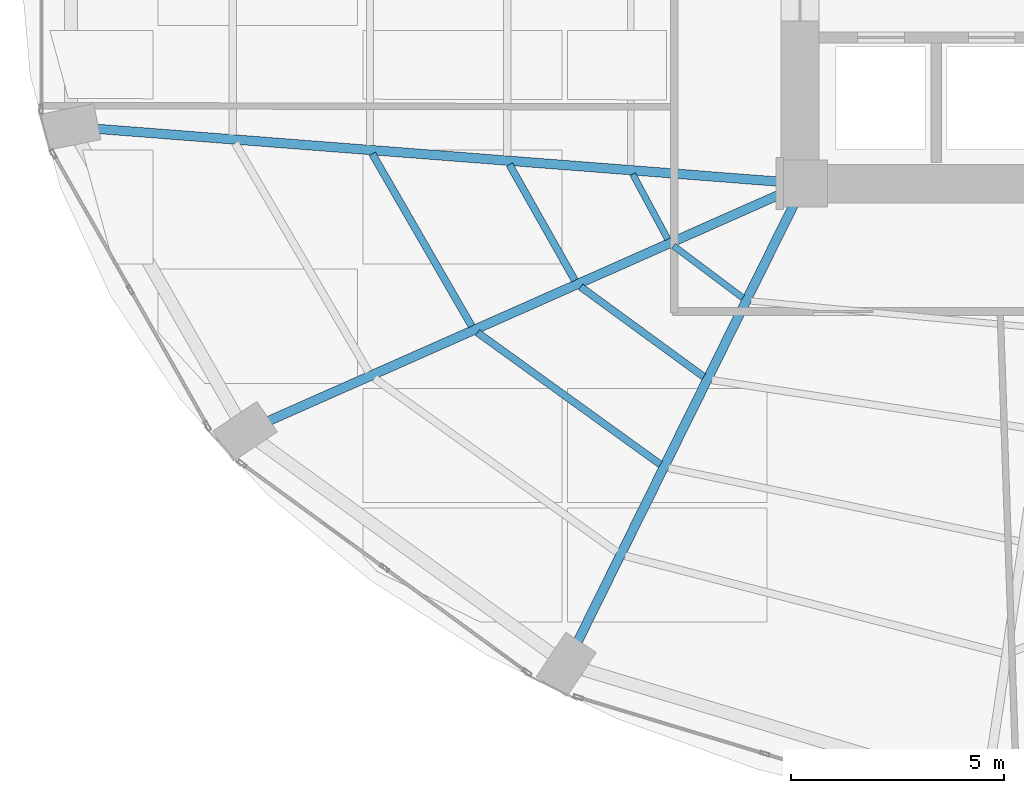
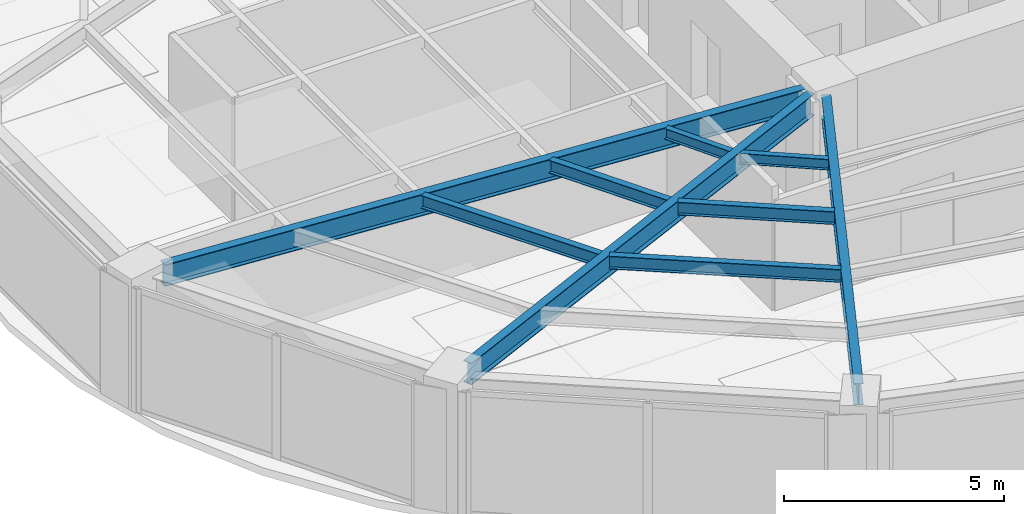
# One storey, part 4 of 24: 9 beams.
"""IFC4 building model written with IfcOpenShell, lengths in metres."""

from ifc_helpers import new_model, si_unit, direction, frame, origin, origin_2d, place, context, subcontext, project, spatial, i_section, extrude, material, material_profile, profile_set, type_object, element, save


model = new_model("IFC4")

# Units and contexts
model_context = context("Model", 3, precision=1e-05, world=origin(), true_north=direction((0.0, 1.0)))
body_context = subcontext(model_context, "Body", "Model", "MODEL_VIEW")
ifc_project = project(units=[si_unit("LENGTHUNIT", "METRE"), si_unit("AREAUNIT", "SQUARE_METRE"), si_unit("VOLUMEUNIT", "CUBIC_METRE"), si_unit("PLANEANGLEUNIT", "RADIAN"), si_unit("MASSUNIT", "GRAM", prefix="KILO")], contexts=[model_context])

# Site, building, storey
site_placement = place(None, origin())
site = spatial("IfcSite", under=ifc_project, at=site_placement, CompositionType="ELEMENT")
building_placement = place(site_placement, origin())
building = spatial("IfcBuilding", under=site, at=building_placement, Name="Lazwardi Medical Tower", CompositionType="ELEMENT")
storey_placement = place(building_placement, frame((0.0, 0.0, 68.97607421875)))
storey = spatial("IfcBuildingStorey", under=building, at=storey_placement, Name="L17", CompositionType="ELEMENT", Elevation=68.97607421875)

# Beams
ifc_material = material(Name="Steel S355", Category="steel")
ifc_material_profile_1 = material_profile(ifc_material, i_section(OverallWidth=0.219970703125, OverallDepth=0.60009765625, WebThickness=0.011962890625, FlangeThickness=0.01904296875, at=origin_2d()), Name="IPE 600")
ifc_profile_set_1 = profile_set([ifc_material_profile_1], Name="Steel S355")
beam_type_1 = type_object("IfcBeamType", Name="BM-RG-W1", PredefinedType="BEAM", material=ifc_profile_set_1)
beam_1_placement = place(storey_placement, frame((9.7783203125, 21.6875, 3.1279296875), z_axis=(0.997013942066, -0.077221754231, 0.0), x_axis=(0.077221754231, 0.997013942066, 0.0)))
element("IfcBeam", 1, at=beam_1_placement, inside=storey, type_object=beam_type_1, Name="Radial girder RG-02 R13 L17", PredefinedType="BEAM", context=body_context, shape_type="SweptSolid", body=[
    extrude(i_section(OverallWidth=0.219970703125, OverallDepth=0.60009765625, WebThickness=0.011962890625, FlangeThickness=0.01904296875, at=origin_2d()), origin(), (0.0, 0.0, 1.0), 16.136474609375),
])
beam_2_placement = place(storey_placement, frame((13.810302734375, 14.82080078125, 3.1279296875), z_axis=(0.914252189566, 0.405145571214, 0.0), x_axis=(-0.405145571214, 0.914252189566, 0.0)))
element("IfcBeam", 2, at=beam_2_placement, inside=storey, type_object=beam_type_1, Name="Radial girder RG-02 R14 L17", PredefinedType="BEAM", context=body_context, shape_type="SweptSolid", body=[
    extrude(i_section(OverallWidth=0.219970703125, OverallDepth=0.60009765625, WebThickness=0.011962890625, FlangeThickness=0.01904296875, at=origin_2d()), origin(), (0.0, 0.0, 1.0), 13.235595703125),
])
beam_3_placement = place(storey_placement, frame((21.076171875, 9.635986328125, 3.1279296875), z_axis=(0.443336723706, 0.896355146922, 0.0), x_axis=(-0.896355146922, 0.443336723706, 0.0)))
element("IfcBeam", 3, at=beam_3_placement, inside=storey, type_object=beam_type_1, Name="Radial girder RG-02 R15 L17", PredefinedType="BEAM", context=body_context, shape_type="SweptSolid", body=[
    extrude(i_section(OverallWidth=0.219970703125, OverallDepth=0.60009765625, WebThickness=0.011962890625, FlangeThickness=0.01904296875, at=origin_2d()), origin(), (0.0, 0.0, 1.0), 11.4736328125),
])
ifc_material_profile_2 = material_profile(ifc_material, i_section(OverallWidth=0.169921875, OverallDepth=0.360107421875, WebThickness=0.008056640625, FlangeThickness=0.0126953125, at=origin_2d()), Name="IPE 360")
ifc_profile_set_2 = profile_set([ifc_material_profile_2], Name="Steel S355")
beam_type_2 = type_object("IfcBeamType", Name="BM-SJ-02", PredefinedType="JOIST", material=ifc_profile_set_2)
beam_4_placement = place(storey_placement, frame((16.26611328125, 21.09814453125, 3.248046875), z_axis=(0.499785866494, -0.866148998529, 0.0), x_axis=(0.866148998529, 0.499785866494, 0.0)))
element("IfcBeam", 4, at=beam_4_placement, inside=storey, type_object=beam_type_2, Name="Secondary joist SJ-02 R2 B13 L17", PredefinedType="JOIST", context=body_context, shape_type="SweptSolid", body=[
    extrude(i_section(OverallWidth=0.169921875, OverallDepth=0.360107421875, WebThickness=0.008056640625, FlangeThickness=0.0126953125, at=origin_2d()), origin(), (0.0, 0.0, 1.0), 4.666015625),
])
beam_5_placement = place(storey_placement, frame((18.73583984375, 16.904296875, 3.248046875), z_axis=(0.811142764961, -0.584848198127, 0.0), x_axis=(0.584848198127, 0.811142764961, 0.0)))
element("IfcBeam", 5, at=beam_5_placement, inside=storey, type_object=beam_type_2, Name="Secondary joist SJ-02 R2 B14 L17", PredefinedType="JOIST", context=body_context, shape_type="SweptSolid", body=[
    extrude(i_section(OverallWidth=0.169921875, OverallDepth=0.360107421875, WebThickness=0.008056640625, FlangeThickness=0.0126953125, at=origin_2d()), origin(), (0.0, 0.0, 1.0), 5.28857421875),
])
beam_6_placement = place(storey_placement, frame((19.48291015625, 20.848388671875, 3.248046875), z_axis=(0.491923287977, -0.870638546554, 0.0), x_axis=(0.870638546554, 0.491923287977, 0.0)))
element("IfcBeam", 6, at=beam_6_placement, inside=storey, type_object=beam_type_2, Name="Secondary joist SJ-02 R3 B13 L17", PredefinedType="JOIST", context=body_context, shape_type="SweptSolid", body=[
    extrude(i_section(OverallWidth=0.169921875, OverallDepth=0.360107421875, WebThickness=0.008056640625, FlangeThickness=0.0126953125, at=origin_2d()), origin(), (0.0, 0.0, 1.0), 3.122802734375),
])
beam_7_placement = place(storey_placement, frame((21.155517578125, 17.976318359375, 3.248046875), z_axis=(0.80770129933, -0.589591902132, 0.0), x_axis=(0.589591902132, 0.80770129933, 0.0)))
element("IfcBeam", 7, at=beam_7_placement, inside=storey, type_object=beam_type_2, Name="Secondary joist SJ-02 R3 B14 L17", PredefinedType="JOIST", context=body_context, shape_type="SweptSolid", body=[
    extrude(i_section(OverallWidth=0.169921875, OverallDepth=0.360107421875, WebThickness=0.008056640625, FlangeThickness=0.0126953125, at=origin_2d()), origin(), (0.0, 0.0, 1.0), 3.5751953125),
])
ifc_material_profile_3 = material_profile(ifc_material, i_section(OverallWidth=0.14990234375, OverallDepth=0.300048828125, WebThickness=0.007080078125, FlangeThickness=0.0107421875, at=origin_2d()), Name="IPE 300")
ifc_profile_set_3 = profile_set([ifc_material_profile_3], Name="Steel S355")
beam_type_3 = type_object("IfcBeamType", Name="BM-SJ-03", PredefinedType="JOIST", material=ifc_profile_set_3)
beam_8_placement = place(storey_placement, frame((22.376953125, 20.623046875, 3.27783203125), z_axis=(0.473982292828, -0.880534375301, 0.0), x_axis=(0.880534375301, 0.473982292828, 0.0)))
element("IfcBeam", 8, at=beam_8_placement, inside=storey, type_object=beam_type_3, Name="Secondary joist SJ-03 R4 B13 L17", PredefinedType="JOIST", context=body_context, shape_type="SweptSolid", body=[
    extrude(i_section(OverallWidth=0.14990234375, OverallDepth=0.300048828125, WebThickness=0.007080078125, FlangeThickness=0.0107421875, at=origin_2d()), origin(), (0.0, 0.0, 1.0), 1.734375),
])
beam_9_placement = place(storey_placement, frame((23.332763671875, 18.9404296875, 3.27783203125), z_axis=(0.800115247939, -0.599846305328, 0.0), x_axis=(0.599846305328, 0.800115247939, 0.0)))
element("IfcBeam", 9, at=beam_9_placement, inside=storey, type_object=beam_type_3, Name="Secondary joist SJ-03 R4 B14 L17", PredefinedType="JOIST", context=body_context, shape_type="SweptSolid", body=[
    extrude(i_section(OverallWidth=0.14990234375, OverallDepth=0.300048828125, WebThickness=0.007080078125, FlangeThickness=0.0107421875, at=origin_2d()), origin(), (0.0, 0.0, 1.0), 2.033447265625),
])

save(model, "model.ifc")
